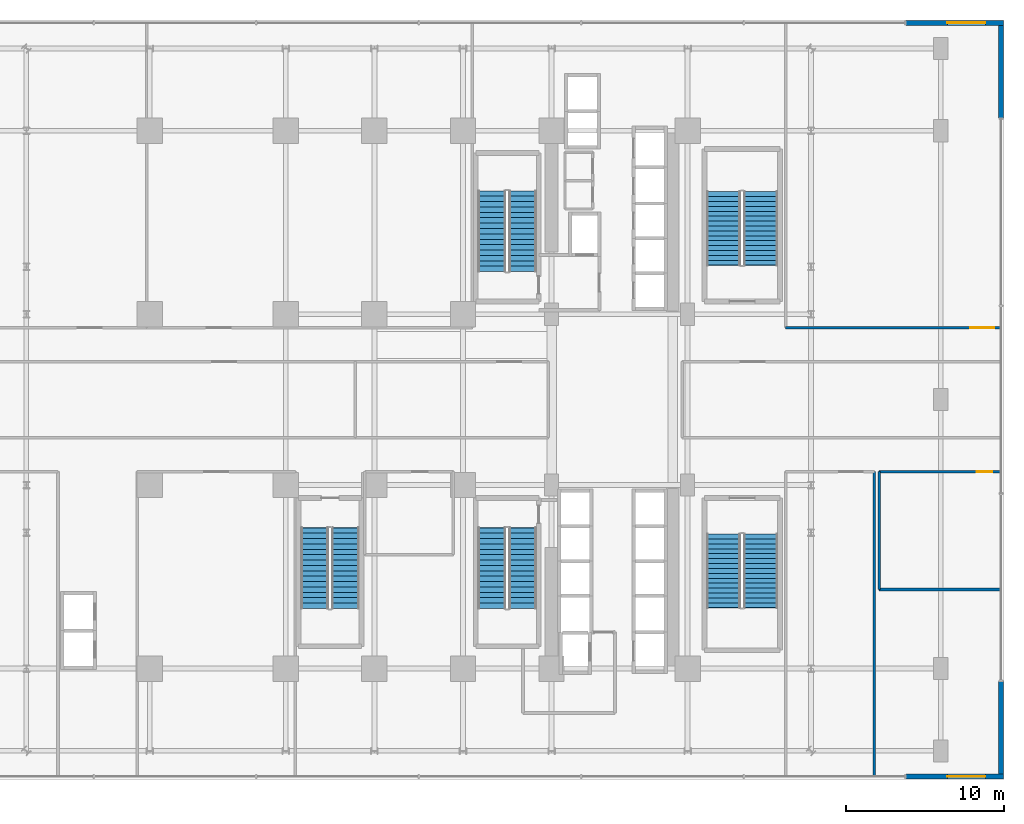
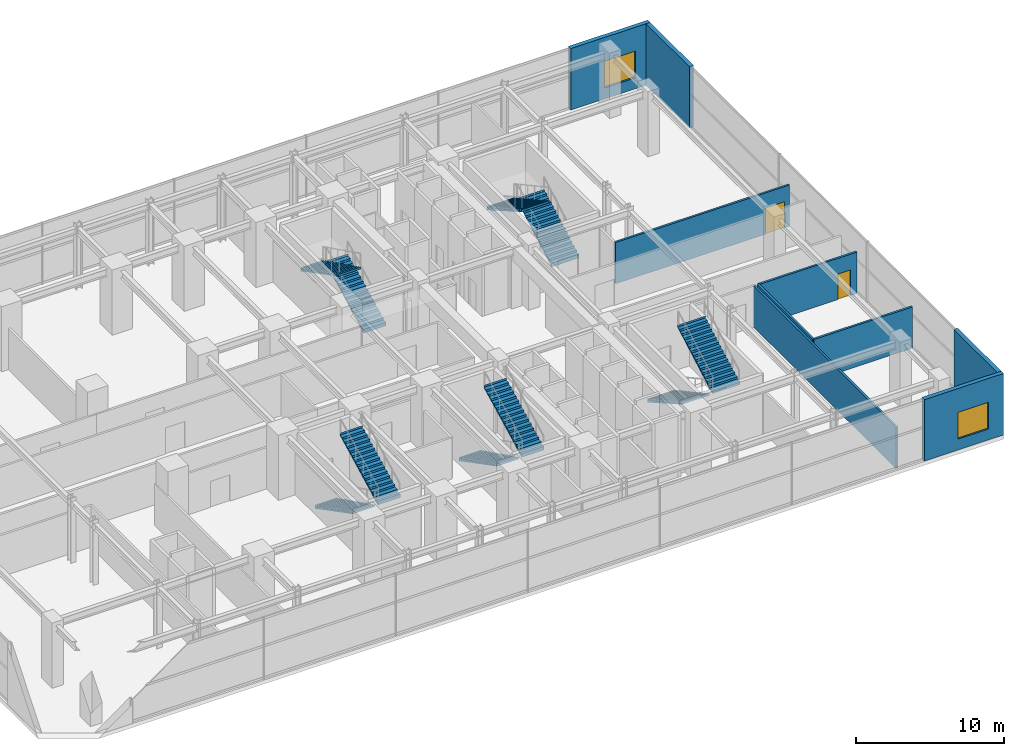
# One storey, part 30 of 32: 10 stair flights, 9 walls, 2 doors, 2 windows, 4 openings, 5 elements without a shape of their own.
"""IFC4 building model written with IfcOpenShell, lengths in metres."""

import ifcopenshell
import ifcopenshell.guid

model = None  # the IFC model being written
_history = None  # IfcOwnerHistory: only IFC2X3 demands one
_inside = {}  # id of a spatial element -> (the spatial element, [elements in it])
_under = {}  # id of a project, library or spatial element -> (it, [spatial elements below it])
_declared = {}  # id of a project -> (the project, [libraries it declares])
_typed = {}  # id of a type object -> (the type object, [elements of that type])
_made_of = {}  # id of a material, layer set ... -> (it, [elements and type objects made of it])


def new_model(schema):
    """Start an empty IFC model of exactly this schema.

    Asked for "IFC4X3", IfcOpenShell would pick the latest addendum, in which some entities
    have other attributes; the version numbers below select the first issue.
    IFC2X3 requires an IfcOwnerHistory on every rooted entity: one is made here for all.
    """
    global model, _history
    if schema == "IFC4X3":
        model = ifcopenshell.file(schema_version=(4, 3, 0, 0))
    else:
        model = ifcopenshell.file(schema=schema)
    _inside.clear()
    _under.clear()
    _declared.clear()
    _typed.clear()
    _made_of.clear()
    _history = None
    if model.schema == "IFC2X3":
        org = make("IfcOrganization", Name="unknown")
        user = make(
            "IfcPersonAndOrganization",
            ThePerson=make("IfcPerson", FamilyName="unknown"),
            TheOrganization=org,
        )
        app = make(
            "IfcApplication",
            ApplicationDeveloper=org,
            Version="unknown",
            ApplicationFullName="unknown",
            ApplicationIdentifier="unknown",
        )
        _history = make(
            "IfcOwnerHistory",
            OwningUser=user,
            OwningApplication=app,
            ChangeAction="ADDED",
            CreationDate=0,
        )
    return model


def make(cls, **values):
    """One entity of the class cls with the attributes given. An attribute that is None is left unset."""
    return model.create_entity(
        cls, **{name: value for name, value in values.items() if value is not None}
    )


def rooted(cls, **values):
    """An entity with a GlobalId (a new one), such as an element, a storey or a relation."""
    return make(cls, GlobalId=ifcopenshell.guid.new(), OwnerHistory=_history, **values)


def si_unit(unit_type, name, prefix=None):
    """IfcSIUnit, for example si_unit("LENGTHUNIT", "METRE", prefix="MILLI")."""
    return make("IfcSIUnit", UnitType=unit_type, Prefix=prefix, Name=name)


def assignment(units):
    """IfcUnitAssignment: the units of a project."""
    return None if units is None else make("IfcUnitAssignment", Units=units)


def point(xyz):
    """IfcCartesianPoint."""
    return None if xyz is None else make("IfcCartesianPoint", Coordinates=xyz)


def direction(xyz):
    """IfcDirection."""
    return None if xyz is None else make("IfcDirection", DirectionRatios=xyz)


def frame(location, z_axis=None, x_axis=None):
    """IfcAxis2Placement3D, a coordinate frame: its origin and axes. An axis left out is left unset."""
    return make(
        "IfcAxis2Placement3D",
        Location=point(location),
        Axis=direction(z_axis),
        RefDirection=direction(x_axis),
    )


def frame_2d(location, x_axis=None):
    """IfcAxis2Placement2D, a coordinate frame in the plane: its origin and x axis."""
    return make(
        "IfcAxis2Placement2D", Location=point(location), RefDirection=direction(x_axis)
    )


def origin():
    """The frame at (0, 0, 0) with its axes left unset."""
    return frame((0.0, 0.0, 0.0))


def place(relative_to, where):
    """IfcLocalPlacement: puts the frame where relative to a parent placement (None: the world)."""
    return make(
        "IfcLocalPlacement", PlacementRelTo=relative_to, RelativePlacement=where
    )


def context(
    kind, dimensions, precision=None, world=None, true_north=None, identifier=None
):
    """IfcGeometricRepresentationContext, for example the 3D "Model" context."""
    return make(
        "IfcGeometricRepresentationContext",
        ContextIdentifier=identifier,
        ContextType=kind,
        CoordinateSpaceDimension=dimensions,
        Precision=precision,
        WorldCoordinateSystem=world,
        TrueNorth=true_north,
    )


def subcontext(parent, identifier, kind, view, scale=None):
    """IfcGeometricRepresentationSubContext, for example "Body" below "Model"."""
    return make(
        "IfcGeometricRepresentationSubContext",
        ContextIdentifier=identifier,
        ContextType=kind,
        ParentContext=parent,
        TargetScale=scale,
        TargetView=view,
    )


def project(units=None, contexts=None):
    """IfcProject with its units and contexts."""
    return rooted(
        "IfcProject",
        Name="project",
        RepresentationContexts=contexts,
        UnitsInContext=assignment(units),
    )


def spatial(cls, under=None, at=None, **own):
    """A site, building, storey or space (cls), placed at a placement, below another one or the project."""
    s = rooted(cls, ObjectPlacement=at, **own)
    if under is not None:
        _under.setdefault(under.id(), (under, []))[1].append(s)
    return s


def polyline(points):
    """IfcPolyline through the points."""
    return make("IfcPolyline", Points=[point(p) for p in points])


def profile(cls, at=None, kind="AREA", **sizes):
    """A parametric profile (cls). Its sizes go by their IFC names, for example OverallWidth=200.0."""
    return make(cls, ProfileType=kind, Position=at, **sizes)


def rectangle(**sizes):
    """IfcRectangleProfileDef."""
    return profile("IfcRectangleProfileDef", **sizes)


def outline(outer, holes=None, kind="AREA"):
    """IfcArbitraryClosedProfileDef: a profile drawn as a closed curve; with holes, ...WithVoids."""
    if holes is None:
        return make("IfcArbitraryClosedProfileDef", ProfileType=kind, OuterCurve=outer)
    return make(
        "IfcArbitraryProfileDefWithVoids",
        ProfileType=kind,
        OuterCurve=outer,
        InnerCurves=holes,
    )


def extrude(swept, where, along, depth):
    """IfcExtrudedAreaSolid: the profile swept, set in the frame where, extruded along a direction by depth."""
    return make(
        "IfcExtrudedAreaSolid",
        SweptArea=swept,
        Position=where,
        ExtrudedDirection=direction(along),
        Depth=depth,
    )


def shape(context_of_items, identifier, shape_type, items):
    """IfcShapeRepresentation: the items that make up one representation, for example the "Body"."""
    return make(
        "IfcShapeRepresentation",
        ContextOfItems=context_of_items,
        RepresentationIdentifier=identifier,
        RepresentationType=shape_type,
        Items=items,
    )


def source(mapping_origin, context_of_items, identifier, shape_type, items):
    """IfcRepresentationMap: a shape defined once, which mapped items show again and again."""
    return make(
        "IfcRepresentationMap",
        MappingOrigin=mapping_origin,
        MappedRepresentation=shape(context_of_items, identifier, shape_type, items),
    )


def transform(
    local_origin,
    x_axis=None,
    y_axis=None,
    z_axis=None,
    scale=None,
    scale2=None,
    scale3=None,
    uniform=True,
):
    """IfcCartesianTransformationOperator3D, or its non-uniform kind. x_axis, y_axis, z_axis: its Axis1, 2, 3."""
    if uniform:
        return make(
            "IfcCartesianTransformationOperator3D",
            Axis1=direction(x_axis),
            Axis2=direction(y_axis),
            LocalOrigin=point(local_origin),
            Scale=scale,
            Axis3=direction(z_axis),
        )
    return make(
        "IfcCartesianTransformationOperator3DnonUniform",
        Axis1=direction(x_axis),
        Axis2=direction(y_axis),
        LocalOrigin=point(local_origin),
        Scale=scale,
        Axis3=direction(z_axis),
        Scale2=scale2,
        Scale3=scale3,
    )


def mapped(mapping_source, mapping_target):
    """IfcMappedItem: shows the shape of a source again, moved by a transform."""
    return make(
        "IfcMappedItem", MappingSource=mapping_source, MappingTarget=mapping_target
    )


def material(Name=None, Category=None):
    """IfcMaterial."""
    return make("IfcMaterial", Name=Name, Category=Category)


def layer(
    of_material, thickness, ventilated=None, Name=None, Category=None, Priority=None
):
    """IfcMaterialLayer: one layer of a wall or slab, of a material (None: an air gap)."""
    return make(
        "IfcMaterialLayer",
        Material=of_material,
        LayerThickness=thickness,
        IsVentilated=ventilated,
        Name=Name,
        Category=Category,
        Priority=Priority,
    )


def layer_set(layers, Name=None):
    """IfcMaterialLayerSet."""
    return make("IfcMaterialLayerSet", MaterialLayers=layers, LayerSetName=Name)


def made_of(thing, what):
    """Note that an element or type object is made of a material, layer set ...; save() writes the relation."""
    if what is not None:
        _made_of.setdefault(what.id(), (what, []))[1].append(thing)
    return thing


def type_object(cls, material=None, **own):
    """A type object (cls), such as IfcWallType, which elements share."""
    return made_of(rooted(cls, **own), material)


def element(
    cls,
    number,
    at=None,
    inside=None,
    cuts=None,
    type_object=None,
    material=None,
    context=None,
    identifier="Body",
    shape_type=None,
    held_by="IfcProductDefinitionShape",
    body=None,
    shapes=None,
    **own,
):
    """One element of the class cls, such as IfcWall. Its Tag is "e" and its number.

    at: its placement. inside: the storey or other place that contains it. cuts: it is an
    opening in that element (IfcRelVoidsElement). A single representation is given by context,
    identifier, shape_type and body (its items); several are given by shapes. held_by: the class
    of the entity that holds the representations. save() writes the other relations.
    """
    e = rooted(cls, Tag="e%d" % number, ObjectPlacement=at, **own)
    if body is not None:
        shapes = [shape(context, identifier, shape_type, body)]
    if shapes is not None:
        e.Representation = make(held_by, Representations=shapes)
    if inside is not None:
        _inside.setdefault(inside.id(), (inside, []))[1].append(e)
    if cuts is not None:
        rooted(
            "IfcRelVoidsElement", RelatingBuildingElement=cuts, RelatedOpeningElement=e
        )
    if type_object is not None:
        _typed.setdefault(type_object.id(), (type_object, []))[1].append(e)
    return made_of(e, material)


def fill(opening, filler):
    """IfcRelFillsElement: the door or window that sits in an opening."""
    return rooted(
        "IfcRelFillsElement",
        RelatingOpeningElement=opening,
        RelatedBuildingElement=filler,
    )


def aggregate(whole, parts):
    """IfcRelAggregates: a whole, such as a stair, and the parts it consists of."""
    return rooted("IfcRelAggregates", RelatingObject=whole, RelatedObjects=parts)


def save(model, path):
    """Write the relations noted so far, then the file.

    IfcRelAggregates (storeys below a building ...), IfcRelContainedInSpatialStructure (elements
    in a storey), IfcRelDefinesByType, IfcRelAssociatesMaterial and IfcRelDeclares: one each for
    every whole, place, type object, material and project.
    """
    for whole, parts in _under.values():
        aggregate(whole, parts)
    for where, things in _inside.values():
        rooted(
            "IfcRelContainedInSpatialStructure",
            RelatedElements=things,
            RelatingStructure=where,
        )
    for kind, things in _typed.values():
        rooted("IfcRelDefinesByType", RelatedObjects=things, RelatingType=kind)
    for what, things in _made_of.values():
        rooted("IfcRelAssociatesMaterial", RelatedObjects=things, RelatingMaterial=what)
    for by, libraries in _declared.values():
        rooted("IfcRelDeclares", RelatingContext=by, RelatedDefinitions=libraries)
    model.write(path)


model = new_model("IFC4")

# Units and contexts
model_context = context("Model", 3, precision=1e-05, world=origin(), true_north=direction((0.0, 1.0)))
body_context = subcontext(model_context, "Body", "Model", "MODEL_VIEW")
ifc_project = project(units=[si_unit("LENGTHUNIT", "METRE"), si_unit("AREAUNIT", "SQUARE_METRE"), si_unit("VOLUMEUNIT", "CUBIC_METRE"), si_unit("PLANEANGLEUNIT", "RADIAN"), si_unit("MASSUNIT", "GRAM", prefix="KILO")], contexts=[model_context])

# Site, building, storey
site_placement = place(None, origin())
site = spatial("IfcSite", under=ifc_project, at=site_placement, CompositionType="ELEMENT")
building_placement = place(site_placement, origin())
building = spatial("IfcBuilding", under=site, at=building_placement, Name="Nahalor Promenade Grand Hotel", CompositionType="ELEMENT")
storey_placement = place(building_placement, frame((0.0, 0.0, 10.800048828125)))
storey = spatial("IfcBuildingStorey", under=building, at=storey_placement, Name="L02", CompositionType="ELEMENT", Elevation=10.800048828125)

# Wall, opening, window
ifc_material_1 = material(Name="Concrete B-40 (C32/40)", Category="concrete")
ifc_layer_1 = layer(ifc_material_1, 0.320068359375)
ifc_layer_set_1 = layer_set([ifc_layer_1], Name="Concrete B-40 (C32/40)")
wall_type_1 = type_object("IfcWallType", Name="Wall-LimestonePier-320", PredefinedType="STANDARD", material=ifc_layer_set_1)
shared_shape_1 = source(origin(), body_context, "Body", "SweptSolid", [
    extrude(rectangle(XDim=6.159912109375, YDim=0.320068359375, at=frame_2d((3.080078125, 0.0))), origin(), (0.0, 0.0, 1.0), 5.06005859375),
])
wall_1_placement = place(storey_placement, frame((30.820068359375, -23.820068359375, 0.0), z_axis=(0.0, 0.0, 1.0), x_axis=(1.0, 0.0, 0.0)))
wall_1 = element("IfcWall", 1, at=wall_1_placement, inside=storey, type_object=wall_type_1, Name="W-L02-CRN-SE-X", PredefinedType="STANDARD", context=body_context, shape_type="MappedRepresentation", body=[
    mapped(shared_shape_1, transform((0.0, 0.0, 0.0), scale=1.0)),
])
opening_1_placement = place(wall_1_placement, frame((2.60009765625, 0.0, 0.89990234375)))
opening_1 = element("IfcOpeningElement", 2, at=opening_1_placement, cuts=wall_1, Name="Opening WN-02", PredefinedType="OPENING", context=body_context, shape_type="SweptSolid", body=[
    extrude(rectangle(XDim=2.39990234375, YDim=2.199951171875, at=frame_2d((1.199951171875, 1.10009765625))), frame((0.0, 0.169921875, 0.0), z_axis=(0.0, -1.0, 0.0), x_axis=(1.0, 0.0, 0.0)), (0.0, 0.0, 1.0), 0.340087890625),
])
ifc_material_2 = material(Name="Low-E Laminated Solar Glass", Category="glass")
window_type = type_object("IfcWindowType", Name="Win-PodiumArch-2400x2200", PartitioningType="SINGLE_PANEL", PredefinedType="WINDOW", material=ifc_material_2)
shared_shape_2 = source(origin(), body_context, "Body", "SweptSolid", [
    extrude(rectangle(XDim=2.39990234375, YDim=2.199951171875, at=frame_2d((1.199951171875, 1.10009765625))), frame((0.0, 0.030029296875, 0.0), z_axis=(0.0, -1.0, 0.0), x_axis=(1.0, 0.0, 0.0)), (0.0, 0.0, 1.0), 0.06005859375),
])
window_1_placement = place(opening_1_placement, origin())
window_1 = element("IfcWindow", 3, at=window_1_placement, inside=storey, type_object=window_type, Name="WN-L02-SE-X", OverallHeight=2.199951171875, OverallWidth=2.39990234375, PartitioningType="SINGLE_PANEL", PredefinedType="WINDOW", context=body_context, shape_type="MappedRepresentation", body=[
    mapped(shared_shape_2, transform((0.0, 0.0, 0.0), scale=1.0)),
])
fill(opening_1, window_1)

wall_2_placement = place(storey_placement, frame((30.820068359375, 23.820068359375, 0.0), z_axis=(0.0, 0.0, 1.0), x_axis=(1.0, 0.0, 0.0)))
wall_2 = element("IfcWall", 4, at=wall_2_placement, inside=storey, type_object=wall_type_1, Name="W-L02-CRN-NE-X", PredefinedType="STANDARD", context=body_context, shape_type="MappedRepresentation", body=[
    mapped(shared_shape_1, transform((0.0, 0.0, 0.0), scale=1.0)),
])
opening_2_placement = place(wall_2_placement, frame((2.60009765625, 0.0, 0.89990234375)))
opening_2 = element("IfcOpeningElement", 5, at=opening_2_placement, cuts=wall_2, Name="Opening WN-02", PredefinedType="OPENING", context=body_context, shape_type="SweptSolid", body=[
    extrude(rectangle(XDim=2.39990234375, YDim=2.199951171875, at=frame_2d((1.199951171875, 1.10009765625))), frame((0.0, 0.169921875, 0.0), z_axis=(0.0, -1.0, 0.0), x_axis=(1.0, 0.0, 0.0)), (0.0, 0.0, 1.0), 0.340087890625),
])
window_2_placement = place(opening_2_placement, origin())
window_2 = element("IfcWindow", 6, at=window_2_placement, inside=storey, type_object=window_type, Name="WN-L02-NE-X", OverallHeight=2.199951171875, OverallWidth=2.39990234375, PartitioningType="SINGLE_PANEL", PredefinedType="WINDOW", context=body_context, shape_type="MappedRepresentation", body=[
    mapped(shared_shape_2, transform((0.0, 0.0, 0.0), scale=1.0)),
])
fill(opening_2, window_2)

# Walls
shared_shape_3 = source(origin(), body_context, "Body", "SweptSolid", [
    extrude(rectangle(XDim=5.83984375, YDim=0.320068359375, at=frame_2d((2.919921875, 0.0))), origin(), (0.0, 0.0, 1.0), 5.06005859375),
])
for number, where, z_axis, x_axis, name in (
    (7, (36.820068359375, -23.659912109375, 0.0), (0.0, 0.0, 1.0), (0.0, 1.0, 0.0), "W-L02-CRN-SE-Y"),
    (8, (36.820068359375, 17.820068359375, 0.0), (0.0, 0.0, 1.0), (0.0, 1.0, 0.0), "W-L02-CRN-NE-Y"),
):
    element("IfcWall", number, at=place(storey_placement, frame(where, z_axis=z_axis, x_axis=x_axis)), inside=storey, type_object=wall_type_1, Name=name, PredefinedType="STANDARD", context=body_context, shape_type="MappedRepresentation", body=[
        mapped(shared_shape_3, transform((0.0, 0.0, 0.0), scale=1.0)),
    ])
ifc_material_3 = material(Name="Acoustic Mineral Gypsum", Category="gypsum")
ifc_layer_2 = layer(ifc_material_3, 0.159912109375)
ifc_layer_set_2 = layer_set([ifc_layer_2], Name="Acoustic Mineral Gypsum")
wall_type_2 = type_object("IfcWallType", Name="Wall-PartCorridor-160", PredefinedType="PARTITIONING", material=ifc_layer_set_2)
shared_shape_4 = source(origin(), body_context, "Body", "SweptSolid", [
    extrude(rectangle(XDim=19.2099609375, YDim=0.159912109375, at=frame_2d((9.60498046875, 0.0))), origin(), (0.0, 0.0, 1.0), 3.39990234375),
])
wall_3_placement = place(storey_placement, frame((28.800048828125, -23.760009765625, 0.0), z_axis=(0.0, 0.0, 1.0), x_axis=(0.0, 1.0, 0.0)))
element("IfcWall", 9, at=wall_3_placement, inside=storey, type_object=wall_type_2, Name="W-L02-PR09-E", PredefinedType="PARTITIONING", context=body_context, shape_type="MappedRepresentation", body=[
    mapped(shared_shape_4, transform((0.0, 0.0, 0.0), scale=1.0)),
])

# Wall, opening, door
shared_shape_5 = source(origin(), body_context, "Body", "SweptSolid", [
    extrude(rectangle(XDim=13.56005859375, YDim=0.159912109375, at=frame_2d((6.780029296875, 0.0))), origin(), (0.0, 0.0, 1.0), 3.39990234375),
])
wall_4_placement = place(storey_placement, frame((23.199951171875, 4.550048828125, 0.0), z_axis=(0.0, 0.0, 1.0), x_axis=(1.0, 0.0, 0.0)))
wall_4 = element("IfcWall", 10, at=wall_4_placement, inside=storey, type_object=wall_type_2, Name="W-L02-PR03-S", PredefinedType="PARTITIONING", context=body_context, shape_type="MappedRepresentation", body=[
    mapped(shared_shape_5, transform((0.0, 0.0, 0.0), scale=1.0)),
])
opening_3_placement = place(wall_4_placement, frame((11.673095703125, 0.0, 0.0)))
opening_3 = element("IfcOpeningElement", 11, at=opening_3_placement, cuts=wall_4, Name="Opening D-02", PredefinedType="OPENING", context=body_context, shape_type="SweptSolid", body=[
    extrude(rectangle(XDim=1.5, YDim=2.14990234375, at=frame_2d((0.75, 1.074951171875))), frame((0.0, 0.08984375, 0.0), z_axis=(0.0, -1.0, 0.0), x_axis=(1.0, 0.0, 0.0)), (0.0, 0.0, 1.0), 0.179931640625),
])
ifc_material_4 = material(Name="Fire-Rated Timber Composite", Category="wood")
door_type_1 = type_object("IfcDoorType", Name="Door-SuiteDouble-1500", OperationType="DOUBLE_DOOR_SINGLE_SWING", PredefinedType="DOOR", material=ifc_material_4)
shared_shape_6 = source(origin(), body_context, "Body", "SweptSolid", [
    extrude(rectangle(XDim=1.5, YDim=2.14990234375, at=frame_2d((0.75, 1.074951171875))), frame((0.0, 0.02490234375, 0.0), z_axis=(0.0, -1.0, 0.0), x_axis=(1.0, 0.0, 0.0)), (0.0, 0.0, 1.0), 0.050048828125),
])
door_1_placement = place(opening_3_placement, origin())
door_1 = element("IfcDoor", 12, at=door_1_placement, inside=storey, type_object=door_type_1, Name="DR-L02-PR03", OperationType="DOUBLE_DOOR_SINGLE_SWING", OverallHeight=2.14990234375, OverallWidth=1.5, PredefinedType="DOOR", context=body_context, shape_type="MappedRepresentation", body=[
    mapped(shared_shape_6, transform((0.0, 0.0, 0.0), scale=1.0)),
])
fill(opening_3, door_1)

# Wall
shared_shape_7 = source(origin(), body_context, "Body", "SweptSolid", [
    extrude(rectangle(XDim=7.659912109375, YDim=0.159912109375, at=frame_2d((3.830078125, 0.0))), origin(), (0.0, 0.0, 1.0), 3.39990234375),
])
wall_5_placement = place(storey_placement, frame((29.10009765625, -12.0, 0.0), z_axis=(0.0, 0.0, 1.0), x_axis=(1.0, 0.0, 0.0)))
element("IfcWall", 13, at=wall_5_placement, inside=storey, type_object=wall_type_2, Name="W-L02-PR10-S", PredefinedType="PARTITIONING", context=body_context, shape_type="MappedRepresentation", body=[
    mapped(shared_shape_7, transform((0.0, 0.0, 0.0), scale=1.0)),
])

# Wall, opening, door
wall_6_placement = place(storey_placement, frame((29.10009765625, -4.550048828125, 0.0), z_axis=(0.0, 0.0, 1.0), x_axis=(1.0, 0.0, 0.0)))
wall_6 = element("IfcWall", 14, at=wall_6_placement, inside=storey, type_object=wall_type_2, Name="W-L02-PR10-N", PredefinedType="PARTITIONING", context=body_context, shape_type="MappedRepresentation", body=[
    mapped(shared_shape_7, transform((0.0, 0.0, 0.0), scale=1.0)),
])
opening_4_placement = place(wall_6_placement, frame((6.162109375, 0.0, 0.0)))
opening_4 = element("IfcOpeningElement", 15, at=opening_4_placement, cuts=wall_6, Name="Opening D-05", PredefinedType="OPENING", context=body_context, shape_type="SweptSolid", body=[
    extrude(rectangle(XDim=0.97998046875, YDim=2.10009765625, at=frame_2d((0.489990234375, 1.050048828125))), frame((0.0, 0.08984375, 0.0), z_axis=(0.0, -1.0, 0.0), x_axis=(1.0, 0.0, 0.0)), (0.0, 0.0, 1.0), 0.179931640625),
])
door_type_2 = type_object("IfcDoorType", Name="Door-AccessibleWC-980", OperationType="NOTDEFINED", PredefinedType="DOOR", material=ifc_material_4)
shared_shape_8 = source(origin(), body_context, "Body", "SweptSolid", [
    extrude(rectangle(XDim=0.97998046875, YDim=2.10009765625, at=frame_2d((0.489990234375, 1.050048828125))), frame((0.0, 0.02490234375, 0.0), z_axis=(0.0, -1.0, 0.0), x_axis=(1.0, 0.0, 0.0)), (0.0, 0.0, 1.0), 0.050048828125),
])
door_2_placement = place(opening_4_placement, frame((0.97998046875, 0.0, 0.0), z_axis=(0.0, 0.0, 1.0), x_axis=(-1.0, 0.0, 0.0)))
door_2 = element("IfcDoor", 16, at=door_2_placement, inside=storey, type_object=door_type_2, Name="DR-L02-PR10", OperationType="SINGLE_SWING_RIGHT", OverallHeight=2.10009765625, OverallWidth=0.97998046875, PredefinedType="DOOR", context=body_context, shape_type="MappedRepresentation", body=[
    mapped(shared_shape_8, transform((0.0, 0.0, 0.0), scale=1.0)),
])
fill(opening_4, door_2)

# Wall
shared_shape_9 = source(origin(), body_context, "Body", "SweptSolid", [
    extrude(rectangle(XDim=7.449951171875, YDim=0.159912109375, at=frame_2d((3.72509765625, 0.0))), origin(), (0.0, 0.0, 1.0), 3.39990234375),
])
wall_7_placement = place(storey_placement, frame((29.10009765625, -12.0, 0.0), z_axis=(0.0, 0.0, 1.0), x_axis=(0.0, 1.0, 0.0)))
element("IfcWall", 17, at=wall_7_placement, inside=storey, type_object=wall_type_2, Name="W-L02-PR10-W", PredefinedType="PARTITIONING", context=body_context, shape_type="MappedRepresentation", body=[
    mapped(shared_shape_9, transform((0.0, 0.0, 0.0), scale=1.0)),
])

# Stair, stair flights
ifc_material_5 = material(Name="Concrete B-50 (C40/50)", Category="concrete")
stair_type_1 = type_object("IfcStairType", Name="Stair-ST1", PredefinedType="HALF_TURN_STAIR", material=ifc_material_5)
stair_1_placement = place(storey_placement, origin())
stair_1 = element("IfcStair", 18, at=stair_1_placement, inside=storey, type_object=stair_type_1, Name="L02 ST1", PredefinedType="HALF_TURN_STAIR")
ifc_layer_3 = layer(ifc_material_5, 0.179931640625)
ifc_layer_set_3 = layer_set([ifc_layer_3], Name="Concrete B-50 (C40/50)")
stair_flight_type_1 = type_object("IfcStairFlightType", Name="Flight-ST1", PredefinedType="STRAIGHT", material=ifc_layer_set_3)
shared_shape_10 = source(origin(), body_context, "Body", "SweptSolid", [
    extrude(outline(polyline([(-0.00390625, -0.1201171875), (-0.00390625, 0.0), (0.0, 0.0), (0.0, 0.168701171875), (0.340087890625, 0.168701171875), (0.340087890625, 0.33740234375), (0.679931640625, 0.33740234375), (0.679931640625, 0.50634765625), (1.02001953125, 0.50634765625), (1.02001953125, 0.675048828125), (1.360107421875, 0.675048828125), (1.360107421875, 0.84375), (1.699951171875, 0.84375), (1.699951171875, 1.012451171875), (2.0400390625, 1.012451171875), (2.0400390625, 1.18115234375), (2.3798828125, 1.18115234375), (2.3798828125, 1.35009765625), (2.719970703125, 1.35009765625), (2.719970703125, 1.518798828125), (3.06005859375, 1.518798828125), (3.06005859375, 1.6875), (3.39990234375, 1.6875), (3.39990234375, 1.856201171875), (3.739990234375, 1.856201171875), (3.739990234375, 2.02490234375), (4.080078125, 2.02490234375), (4.080078125, 2.19384765625), (4.419921875, 2.19384765625), (4.419921875, 2.362548828125), (4.760009765625, 2.362548828125), (4.760009765625, 2.53125), (5.10009765625, 2.53125), (5.10009765625, 2.699951171875), (5.10400390625, 2.699951171875), (5.10400390625, 2.52001953125), (0.02001953125, -0.1201171875), (-0.00390625, -0.1201171875)])), frame((0.0, 0.875, 0.0), z_axis=(0.0, -1.0, 0.0), x_axis=(1.0, 0.0, 0.0)), (0.0, 0.0, 1.0), 1.75),
])
stair_flight_1_placement = place(storey_placement, frame((6.574951171875, 8.10009765625, 0.0), z_axis=(0.0, 0.0, 1.0), x_axis=(0.0, 1.0, 0.0)))
stair_flight_1 = element("IfcStairFlight", 19, at=stair_flight_1_placement, type_object=stair_flight_type_1, Name="ST1 flight 1", NumberOfRisers=16, NumberOfTreads=15, PredefinedType="STRAIGHT", RiserHeight=0.16875, TreadLength=0.34, context=body_context, shape_type="MappedRepresentation", body=[
    mapped(shared_shape_10, transform((0.0, 0.0, 0.0), scale=1.0)),
])
stair_flight_2_placement = place(storey_placement, frame((4.625, 13.199951171875, 2.699951171875), z_axis=(0.0, 0.0, 1.0), x_axis=(0.0, -1.0, 0.0)))
stair_flight_2 = element("IfcStairFlight", 20, at=stair_flight_2_placement, type_object=stair_flight_type_1, Name="ST1 flight 2", NumberOfRisers=16, NumberOfTreads=15, PredefinedType="STRAIGHT", RiserHeight=0.16875, TreadLength=0.34, context=body_context, shape_type="MappedRepresentation", body=[
    mapped(shared_shape_10, transform((0.0, 0.0, 0.0), scale=1.0)),
])
aggregate(stair_1, [stair_flight_1, stair_flight_2])

stair_type_2 = type_object("IfcStairType", Name="Stair-ST2", PredefinedType="HALF_TURN_STAIR", material=ifc_material_5)
stair_2_placement = place(storey_placement, origin())
stair_2 = element("IfcStair", 21, at=stair_2_placement, inside=storey, type_object=stair_type_2, Name="L02 ST2", PredefinedType="HALF_TURN_STAIR")
ifc_layer_4 = layer(ifc_material_5, 0.18994140625)
ifc_layer_set_4 = layer_set([ifc_layer_4], Name="Concrete B-50 (C40/50)")
stair_flight_type_2 = type_object("IfcStairFlightType", Name="Flight-ST2", PredefinedType="STRAIGHT", material=ifc_layer_set_4)
shared_shape_11 = source(origin(), body_context, "Body", "SweptSolid", [
    extrude(outline(polyline([(-0.00390625, -0.1201171875), (-0.00390625, 0.0), (0.0, 0.0), (0.0, 0.168701171875), (0.340087890625, 0.168701171875), (0.340087890625, 0.33740234375), (0.679931640625, 0.33740234375), (0.679931640625, 0.50634765625), (1.02001953125, 0.50634765625), (1.02001953125, 0.675048828125), (1.360107421875, 0.675048828125), (1.360107421875, 0.84375), (1.699951171875, 0.84375), (1.699951171875, 1.012451171875), (2.0400390625, 1.012451171875), (2.0400390625, 1.18115234375), (2.3798828125, 1.18115234375), (2.3798828125, 1.35009765625), (2.719970703125, 1.35009765625), (2.719970703125, 1.518798828125), (3.06005859375, 1.518798828125), (3.06005859375, 1.6875), (3.39990234375, 1.6875), (3.39990234375, 1.856201171875), (3.739990234375, 1.856201171875), (3.739990234375, 2.02490234375), (4.080078125, 2.02490234375), (4.080078125, 2.19384765625), (4.419921875, 2.19384765625), (4.419921875, 2.362548828125), (4.760009765625, 2.362548828125), (4.760009765625, 2.53125), (5.10009765625, 2.53125), (5.10009765625, 2.699951171875), (5.10400390625, 2.699951171875), (5.10400390625, 2.52001953125), (0.02001953125, -0.1201171875), (-0.00390625, -0.1201171875)])), frame((0.0, 0.875, 0.0), z_axis=(0.0, -1.0, 0.0), x_axis=(1.0, 0.0, 0.0)), (0.0, 0.0, 1.0), 1.75),
])
stair_flight_3_placement = place(storey_placement, frame((4.625, -8.10009765625, 0.0), z_axis=(0.0, 0.0, 1.0), x_axis=(0.0, -1.0, 0.0)))
stair_flight_3 = element("IfcStairFlight", 22, at=stair_flight_3_placement, type_object=stair_flight_type_2, Name="ST2 flight 1", NumberOfRisers=16, NumberOfTreads=15, PredefinedType="STRAIGHT", RiserHeight=0.16875, TreadLength=0.34, context=body_context, shape_type="MappedRepresentation", body=[
    mapped(shared_shape_11, transform((0.0, 0.0, 0.0), scale=1.0)),
])
stair_flight_4_placement = place(storey_placement, frame((6.574951171875, -13.199951171875, 2.699951171875), z_axis=(0.0, 0.0, 1.0), x_axis=(0.0, 1.0, 0.0)))
stair_flight_4 = element("IfcStairFlight", 23, at=stair_flight_4_placement, type_object=stair_flight_type_2, Name="ST2 flight 2", NumberOfRisers=16, NumberOfTreads=15, PredefinedType="STRAIGHT", RiserHeight=0.16875, TreadLength=0.34, context=body_context, shape_type="MappedRepresentation", body=[
    mapped(shared_shape_11, transform((0.0, 0.0, 0.0), scale=1.0)),
])
aggregate(stair_2, [stair_flight_3, stair_flight_4])

stair_type_3 = type_object("IfcStairType", Name="Stair-ST3", PredefinedType="HALF_TURN_STAIR", material=ifc_material_5)
stair_3_placement = place(storey_placement, origin())
stair_3 = element("IfcStair", 24, at=stair_3_placement, inside=storey, type_object=stair_type_3, Name="L02 ST3", PredefinedType="HALF_TURN_STAIR")
ifc_layer_5 = layer(ifc_material_5, 0.199951171875)
ifc_layer_set_5 = layer_set([ifc_layer_5], Name="Concrete B-50 (C40/50)")
stair_flight_type_3 = type_object("IfcStairFlightType", Name="Flight-ST3", PredefinedType="STRAIGHT", material=ifc_layer_set_5)
shared_shape_12 = source(origin(), body_context, "Body", "SweptSolid", [
    extrude(outline(polyline([(-0.00390625, -0.1201171875), (-0.00390625, 0.0), (0.0, 0.0), (0.0, 0.168701171875), (0.340087890625, 0.168701171875), (0.340087890625, 0.33740234375), (0.679931640625, 0.33740234375), (0.679931640625, 0.50634765625), (1.02001953125, 0.50634765625), (1.02001953125, 0.675048828125), (1.360107421875, 0.675048828125), (1.360107421875, 0.84375), (1.699951171875, 0.84375), (1.699951171875, 1.012451171875), (2.0400390625, 1.012451171875), (2.0400390625, 1.18115234375), (2.3798828125, 1.18115234375), (2.3798828125, 1.35009765625), (2.719970703125, 1.35009765625), (2.719970703125, 1.518798828125), (3.06005859375, 1.518798828125), (3.06005859375, 1.6875), (3.39990234375, 1.6875), (3.39990234375, 1.856201171875), (3.739990234375, 1.856201171875), (3.739990234375, 2.02490234375), (4.080078125, 2.02490234375), (4.080078125, 2.19384765625), (4.419921875, 2.19384765625), (4.419921875, 2.362548828125), (4.760009765625, 2.362548828125), (4.760009765625, 2.53125), (5.10009765625, 2.53125), (5.10009765625, 2.699951171875), (5.10400390625, 2.699951171875), (5.10400390625, 2.52001953125), (0.02001953125, -0.1201171875), (-0.00390625, -0.1201171875)])), frame((0.0, 0.875, 0.0), z_axis=(0.0, -1.0, 0.0), x_axis=(1.0, 0.0, 0.0)), (0.0, 0.0, 1.0), 1.75),
])
stair_flight_5_placement = place(storey_placement, frame((-6.574951171875, -8.10009765625, 0.0), z_axis=(0.0, 0.0, 1.0), x_axis=(0.0, -1.0, 0.0)))
stair_flight_5 = element("IfcStairFlight", 25, at=stair_flight_5_placement, type_object=stair_flight_type_3, Name="ST3 flight 1", NumberOfRisers=16, NumberOfTreads=15, PredefinedType="STRAIGHT", RiserHeight=0.16875, TreadLength=0.34, context=body_context, shape_type="MappedRepresentation", body=[
    mapped(shared_shape_12, transform((0.0, 0.0, 0.0), scale=1.0)),
])
stair_flight_6_placement = place(storey_placement, frame((-4.625, -13.199951171875, 2.699951171875), z_axis=(0.0, 0.0, 1.0), x_axis=(0.0, 1.0, 0.0)))
stair_flight_6 = element("IfcStairFlight", 26, at=stair_flight_6_placement, type_object=stair_flight_type_3, Name="ST3 flight 2", NumberOfRisers=16, NumberOfTreads=15, PredefinedType="STRAIGHT", RiserHeight=0.16875, TreadLength=0.34, context=body_context, shape_type="MappedRepresentation", body=[
    mapped(shared_shape_12, transform((0.0, 0.0, 0.0), scale=1.0)),
])
aggregate(stair_3, [stair_flight_5, stair_flight_6])

stair_type_4 = type_object("IfcStairType", Name="Stair-ST4", PredefinedType="HALF_TURN_STAIR", material=ifc_material_5)
stair_4_placement = place(storey_placement, origin())
stair_4 = element("IfcStair", 27, at=stair_4_placement, inside=storey, type_object=stair_type_4, Name="L02 ST4", PredefinedType="HALF_TURN_STAIR")
ifc_layer_6 = layer(ifc_material_5, 0.2099609375)
ifc_layer_set_6 = layer_set([ifc_layer_6], Name="Concrete B-50 (C40/50)")
stair_flight_type_4 = type_object("IfcStairFlightType", Name="Flight-ST4", PredefinedType="STRAIGHT", material=ifc_layer_set_6)
shared_shape_13 = source(origin(), body_context, "Body", "SweptSolid", [
    extrude(outline(polyline([(-0.00390625, -0.1201171875), (-0.00390625, 0.0), (0.0, 0.0), (0.0, 0.168701171875), (0.31005859375, 0.168701171875), (0.31005859375, 0.33740234375), (0.6201171875, 0.33740234375), (0.6201171875, 0.50634765625), (0.929931640625, 0.50634765625), (0.929931640625, 0.675048828125), (1.239990234375, 0.675048828125), (1.239990234375, 0.84375), (1.550048828125, 0.84375), (1.550048828125, 1.012451171875), (1.860107421875, 1.012451171875), (1.860107421875, 1.18115234375), (2.169921875, 1.18115234375), (2.169921875, 1.35009765625), (2.47998046875, 1.35009765625), (2.47998046875, 1.518798828125), (2.7900390625, 1.518798828125), (2.7900390625, 1.6875), (3.10009765625, 1.6875), (3.10009765625, 1.856201171875), (3.409912109375, 1.856201171875), (3.409912109375, 2.02490234375), (3.719970703125, 2.02490234375), (3.719970703125, 2.19384765625), (4.030029296875, 2.19384765625), (4.030029296875, 2.362548828125), (4.340087890625, 2.362548828125), (4.340087890625, 2.53125), (4.64990234375, 2.53125), (4.64990234375, 2.699951171875), (4.654052734375, 2.699951171875), (4.654052734375, 2.52001953125), (0.02001953125, -0.1201171875), (-0.00390625, -0.1201171875)])), frame((0.0, 1.074951171875, 0.0), z_axis=(0.0, -1.0, 0.0), x_axis=(1.0, 0.0, 0.0)), (0.0, 0.0, 1.0), 2.14990234375),
])
stair_flight_7_placement = place(storey_placement, frame((21.625, 8.5, 0.0), z_axis=(0.0, 0.0, 1.0), x_axis=(0.0, 1.0, 0.0)))
stair_flight_7 = element("IfcStairFlight", 28, at=stair_flight_7_placement, type_object=stair_flight_type_4, Name="ST4 flight 1", NumberOfRisers=16, NumberOfTreads=15, PredefinedType="STRAIGHT", RiserHeight=0.16875, TreadLength=0.31, context=body_context, shape_type="MappedRepresentation", body=[
    mapped(shared_shape_13, transform((0.0, 0.0, 0.0), scale=1.0)),
])
stair_flight_8_placement = place(storey_placement, frame((19.27490234375, 13.14990234375, 2.699951171875), z_axis=(0.0, 0.0, 1.0), x_axis=(0.0, -1.0, 0.0)))
stair_flight_8 = element("IfcStairFlight", 29, at=stair_flight_8_placement, type_object=stair_flight_type_4, Name="ST4 flight 2", NumberOfRisers=16, NumberOfTreads=15, PredefinedType="STRAIGHT", RiserHeight=0.16875, TreadLength=0.31, context=body_context, shape_type="MappedRepresentation", body=[
    mapped(shared_shape_13, transform((0.0, 0.0, 0.0), scale=1.0)),
])
aggregate(stair_4, [stair_flight_7, stair_flight_8])

stair_type_5 = type_object("IfcStairType", Name="Stair-ST5", PredefinedType="HALF_TURN_STAIR", material=ifc_material_5)
stair_5_placement = place(storey_placement, origin())
stair_5 = element("IfcStair", 30, at=stair_5_placement, inside=storey, type_object=stair_type_5, Name="L02 ST5", PredefinedType="HALF_TURN_STAIR")
ifc_layer_7 = layer(ifc_material_5, 0.219970703125)
ifc_layer_set_7 = layer_set([ifc_layer_7], Name="Concrete B-50 (C40/50)")
stair_flight_type_5 = type_object("IfcStairFlightType", Name="Flight-ST5", PredefinedType="STRAIGHT", material=ifc_layer_set_7)
shared_shape_14 = source(origin(), body_context, "Body", "SweptSolid", [
    extrude(outline(polyline([(-0.00390625, -0.1201171875), (-0.00390625, 0.0), (0.0, 0.0), (0.0, 0.168701171875), (0.31005859375, 0.168701171875), (0.31005859375, 0.33740234375), (0.6201171875, 0.33740234375), (0.6201171875, 0.50634765625), (0.929931640625, 0.50634765625), (0.929931640625, 0.675048828125), (1.239990234375, 0.675048828125), (1.239990234375, 0.84375), (1.550048828125, 0.84375), (1.550048828125, 1.012451171875), (1.860107421875, 1.012451171875), (1.860107421875, 1.18115234375), (2.169921875, 1.18115234375), (2.169921875, 1.35009765625), (2.47998046875, 1.35009765625), (2.47998046875, 1.518798828125), (2.7900390625, 1.518798828125), (2.7900390625, 1.6875), (3.10009765625, 1.6875), (3.10009765625, 1.856201171875), (3.409912109375, 1.856201171875), (3.409912109375, 2.02490234375), (3.719970703125, 2.02490234375), (3.719970703125, 2.19384765625), (4.030029296875, 2.19384765625), (4.030029296875, 2.362548828125), (4.340087890625, 2.362548828125), (4.340087890625, 2.53125), (4.64990234375, 2.53125), (4.64990234375, 2.699951171875), (4.654052734375, 2.699951171875), (4.654052734375, 2.52001953125), (0.02001953125, -0.1201171875), (-0.00390625, -0.1201171875)])), frame((0.0, 1.074951171875, 0.0), z_axis=(0.0, -1.0, 0.0), x_axis=(1.0, 0.0, 0.0)), (0.0, 0.0, 1.0), 2.14990234375),
])
stair_flight_9_placement = place(storey_placement, frame((19.27490234375, -8.5, 0.0), z_axis=(0.0, 0.0, 1.0), x_axis=(0.0, -1.0, 0.0)))
stair_flight_9 = element("IfcStairFlight", 31, at=stair_flight_9_placement, type_object=stair_flight_type_5, Name="ST5 flight 1", NumberOfRisers=16, NumberOfTreads=15, PredefinedType="STRAIGHT", RiserHeight=0.16875, TreadLength=0.31, context=body_context, shape_type="MappedRepresentation", body=[
    mapped(shared_shape_14, transform((0.0, 0.0, 0.0), scale=1.0)),
])
stair_flight_10_placement = place(storey_placement, frame((21.625, -13.14990234375, 2.699951171875), z_axis=(0.0, 0.0, 1.0), x_axis=(0.0, 1.0, 0.0)))
stair_flight_10 = element("IfcStairFlight", 32, at=stair_flight_10_placement, type_object=stair_flight_type_5, Name="ST5 flight 2", NumberOfRisers=16, NumberOfTreads=15, PredefinedType="STRAIGHT", RiserHeight=0.16875, TreadLength=0.31, context=body_context, shape_type="MappedRepresentation", body=[
    mapped(shared_shape_14, transform((0.0, 0.0, 0.0), scale=1.0)),
])
aggregate(stair_5, [stair_flight_9, stair_flight_10])

save(model, "model.ifc")
